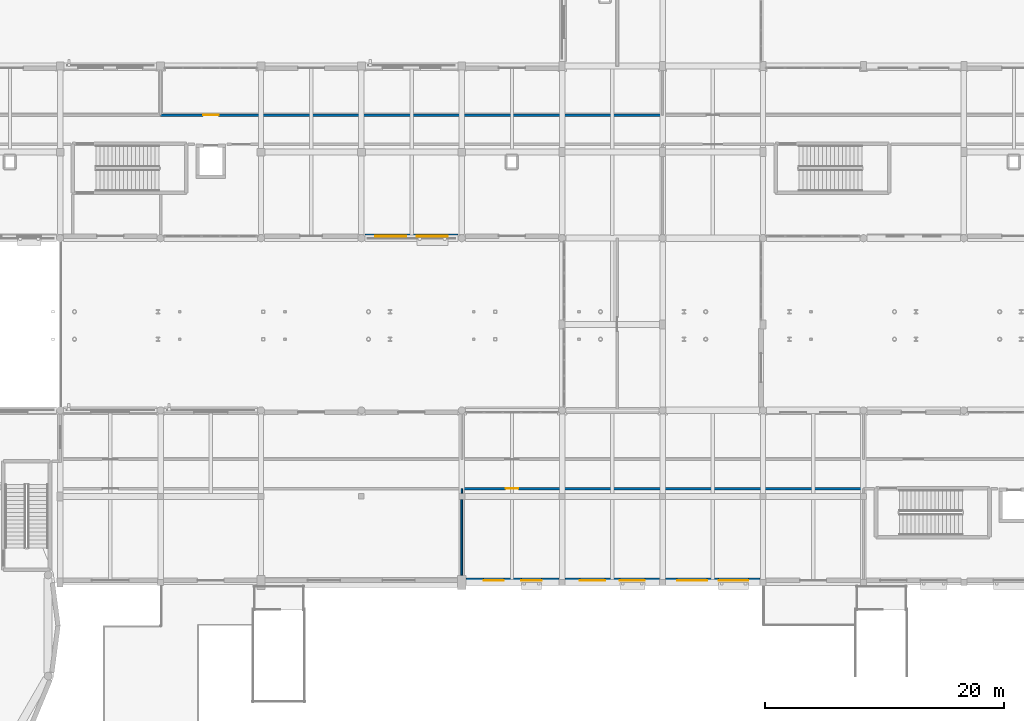
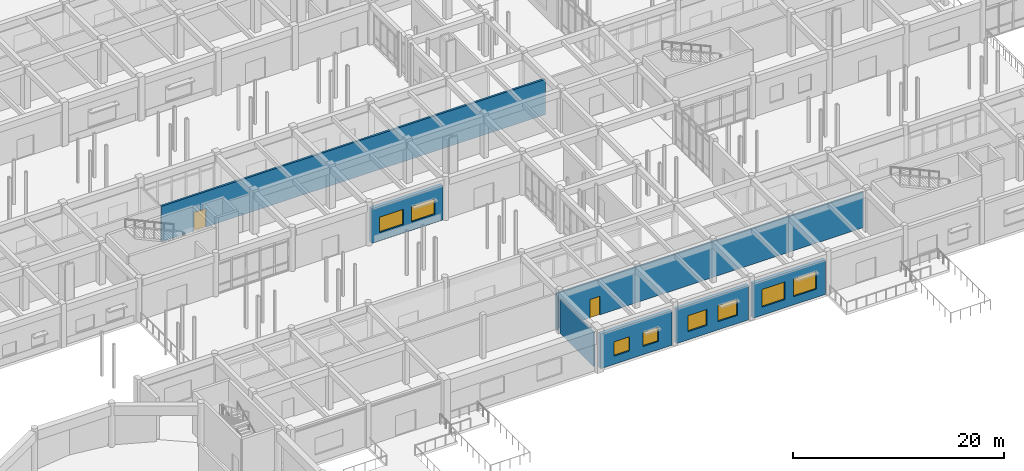
# One storey, part 74 of 121: 8 walls, 8 windows, 2 doors, 10 openings.
"""IFC4 building model written with IfcOpenShell, lengths in metres."""

from ifc_helpers import new_model, si_unit, direction, frame, frame_2d, origin, place, context, subcontext, project, spatial, rectangle, extrude, material, layer, layer_set, type_object, element, fill, save


model = new_model("IFC4")

# Units and contexts
model_context = context("Model", 3, precision=1e-05, world=origin(), true_north=direction((0.0, 1.0)))
body_context = subcontext(model_context, "Body", "Model", "MODEL_VIEW")
ifc_project = project(units=[si_unit("LENGTHUNIT", "METRE"), si_unit("AREAUNIT", "SQUARE_METRE"), si_unit("VOLUMEUNIT", "CUBIC_METRE"), si_unit("PLANEANGLEUNIT", "RADIAN"), si_unit("MASSUNIT", "GRAM", prefix="KILO")], contexts=[model_context])

# Site, building, storey
site_placement = place(None, origin())
site = spatial("IfcSite", under=ifc_project, at=site_placement, CompositionType="ELEMENT")
building_placement = place(site_placement, origin())
building = spatial("IfcBuilding", under=site, at=building_placement, Name="Malvenik Polytechnic", CompositionType="ELEMENT")
storey_placement = place(building_placement, origin())
storey = spatial("IfcBuildingStorey", under=building, at=storey_placement, Name="L00", CompositionType="ELEMENT", Elevation=0.0)

# Wall, openings, windows
ifc_material_1 = material(Name="Concrete C30/37", Category="concrete")
ifc_layer_1 = layer(ifc_material_1, 0.3798828125)
ifc_layer_set_1 = layer_set([ifc_layer_1], Name="Concrete C30/37")
wall_type_1 = type_object("IfcWallType", Name="ARC-EW-380", PredefinedType="SOLIDWALL", material=ifc_layer_set_1)
wall_1_placement = place(storey_placement, frame((66.902099609375, 50.570068359375, 0.0), z_axis=(0.0, 0.0, 1.0), x_axis=(-1.0, 0.0, 0.0)))
wall_1 = element("IfcWall", 1, at=wall_1_placement, inside=storey, type_object=wall_type_1, Name="External Facade Wall EW-01 L00 #37", PredefinedType="SOLIDWALL", context=body_context, shape_type="SweptSolid", body=[
    extrude(rectangle(XDim=7.80419921875, YDim=0.3798828125, at=frame_2d((3.902099609375, 0.0))), origin(), (0.0, 0.0, 1.0), 4.010009765625),
])
opening_1_placement = place(wall_1_placement, frame((0.867919921875, 0.0, 0.949951171875)))
opening_1 = element("IfcOpeningElement", 2, at=opening_1_placement, cuts=wall_1, Name="Opening W-11", PredefinedType="OPENING", context=body_context, shape_type="SweptSolid", body=[
    extrude(rectangle(XDim=2.60009765625, YDim=1.800048828125, at=frame_2d((1.300048828125, 0.89990234375))), frame((0.0, 0.199951171875, 0.0), z_axis=(0.0, -1.0, 0.0), x_axis=(1.0, 0.0, 0.0)), (0.0, 0.0, 1.0), 0.39990234375),
])
opening_2_placement = place(wall_1_placement, frame((4.3359375, 0.0, 0.949951171875)))
opening_2 = element("IfcOpeningElement", 3, at=opening_2_placement, cuts=wall_1, Name="Opening W-11", PredefinedType="OPENING", context=body_context, shape_type="SweptSolid", body=[
    extrude(rectangle(XDim=2.60009765625, YDim=1.800048828125, at=frame_2d((1.300048828125, 0.89990234375))), frame((0.0, 0.199951171875, 0.0), z_axis=(0.0, -1.0, 0.0), x_axis=(1.0, 0.0, 0.0)), (0.0, 0.0, 1.0), 0.39990234375),
])
ifc_material_2 = material(Name="Thermally broken aluminium frame with low-E double glazing", Category="aluminium")
window_type_1 = type_object("IfcWindowType", Name="ARC-WIN-W-11", PartitioningType="SINGLE_PANEL", PredefinedType="WINDOW", material=ifc_material_2)
window_1_placement = place(opening_1_placement, origin())
window_1 = element("IfcWindow", 4, at=window_1_placement, inside=storey, type_object=window_type_1, Name="Punched Window W-11 L00 #5", OverallHeight=1.800048828125, OverallWidth=2.60009765625, PartitioningType="SINGLE_PANEL", PredefinedType="WINDOW", context=body_context, shape_type="SweptSolid", body=[
    extrude(rectangle(XDim=2.60009765625, YDim=1.800048828125, at=frame_2d((1.300048828125, 0.89990234375))), frame((0.0, 0.030029296875, 0.0), z_axis=(0.0, -1.0, 0.0), x_axis=(1.0, 0.0, 0.0)), (0.0, 0.0, 1.0), 0.06005859375),
])
fill(opening_1, window_1)
window_2_placement = place(opening_2_placement, origin())
window_2 = element("IfcWindow", 5, at=window_2_placement, inside=storey, type_object=window_type_1, Name="Punched Window W-11 L00 #6", OverallHeight=1.800048828125, OverallWidth=2.60009765625, PartitioningType="SINGLE_PANEL", PredefinedType="WINDOW", context=body_context, shape_type="SweptSolid", body=[
    extrude(rectangle(XDim=2.60009765625, YDim=1.800048828125, at=frame_2d((1.300048828125, 0.89990234375))), frame((0.0, 0.030029296875, 0.0), z_axis=(0.0, -1.0, 0.0), x_axis=(1.0, 0.0, 0.0)), (0.0, 0.0, 1.0), 0.06005859375),
])
fill(opening_2, window_2)

wall_2_placement = place(storey_placement, frame((92.152099609375, 21.77001953125, 0.0), z_axis=(0.0, 0.0, 1.0), x_axis=(-1.0, 0.0, 0.0)))
wall_2 = element("IfcWall", 6, at=wall_2_placement, inside=storey, type_object=wall_type_1, Name="External Facade Wall EW-01 L00 #148", PredefinedType="SOLIDWALL", context=body_context, shape_type="SweptSolid", body=[
    extrude(rectangle(XDim=7.904052734375, YDim=0.3798828125, at=frame_2d((3.9521484375, 0.0))), origin(), (0.0, 0.0, 1.0), 4.010009765625),
])
opening_3_placement = place(wall_2_placement, frame((0.968017578125, 0.0, 0.949951171875)))
opening_3 = element("IfcOpeningElement", 7, at=opening_3_placement, cuts=wall_2, Name="Opening W-21", PredefinedType="OPENING", context=body_context, shape_type="SweptSolid", body=[
    extrude(rectangle(XDim=2.5, YDim=2.050048828125, at=frame_2d((1.25, 1.02490234375))), frame((0.0, 0.199951171875, 0.0), z_axis=(0.0, -1.0, 0.0), x_axis=(1.0, 0.0, 0.0)), (0.0, 0.0, 1.0), 0.39990234375),
])
opening_4_placement = place(wall_2_placement, frame((4.43603515625, 0.0, 0.949951171875)))
opening_4 = element("IfcOpeningElement", 8, at=opening_4_placement, cuts=wall_2, Name="Opening W-21", PredefinedType="OPENING", context=body_context, shape_type="SweptSolid", body=[
    extrude(rectangle(XDim=2.5, YDim=2.050048828125, at=frame_2d((1.25, 1.02490234375))), frame((0.0, 0.199951171875, 0.0), z_axis=(0.0, -1.0, 0.0), x_axis=(1.0, 0.0, 0.0)), (0.0, 0.0, 1.0), 0.39990234375),
])
window_type_2 = type_object("IfcWindowType", Name="ARC-WIN-W-21", PartitioningType="SINGLE_PANEL", PredefinedType="WINDOW", material=ifc_material_2)
window_3_placement = place(opening_3_placement, origin())
window_3 = element("IfcWindow", 9, at=window_3_placement, inside=storey, type_object=window_type_2, Name="Punched Window W-21 L00 #111", OverallHeight=2.050048828125, OverallWidth=2.5, PartitioningType="SINGLE_PANEL", PredefinedType="WINDOW", context=body_context, shape_type="SweptSolid", body=[
    extrude(rectangle(XDim=2.5, YDim=2.050048828125, at=frame_2d((1.25, 1.02490234375))), frame((0.0, 0.030029296875, 0.0), z_axis=(0.0, -1.0, 0.0), x_axis=(1.0, 0.0, 0.0)), (0.0, 0.0, 1.0), 0.06005859375),
])
fill(opening_3, window_3)
window_4_placement = place(opening_4_placement, origin())
window_4 = element("IfcWindow", 10, at=window_4_placement, inside=storey, type_object=window_type_2, Name="Punched Window W-21 L00 #112", OverallHeight=2.050048828125, OverallWidth=2.5, PartitioningType="SINGLE_PANEL", PredefinedType="WINDOW", context=body_context, shape_type="SweptSolid", body=[
    extrude(rectangle(XDim=2.5, YDim=2.050048828125, at=frame_2d((1.25, 1.02490234375))), frame((0.0, 0.030029296875, 0.0), z_axis=(0.0, -1.0, 0.0), x_axis=(1.0, 0.0, 0.0)), (0.0, 0.0, 1.0), 0.06005859375),
])
fill(opening_4, window_4)

wall_3_placement = place(storey_placement, frame((83.751953125, 21.77001953125, 0.0), z_axis=(0.0, 0.0, 1.0), x_axis=(-1.0, 0.0, 0.0)))
wall_3 = element("IfcWall", 11, at=wall_3_placement, inside=storey, type_object=wall_type_1, Name="External Facade Wall EW-01 L00 #149", PredefinedType="SOLIDWALL", context=body_context, shape_type="SweptSolid", body=[
    extrude(rectangle(XDim=7.904052734375, YDim=0.3798828125, at=frame_2d((3.9521484375, 0.0))), origin(), (0.0, 0.0, 1.0), 4.010009765625),
])
opening_5_placement = place(wall_3_placement, frame((1.234619140625, 0.0, 0.949951171875)))
opening_5 = element("IfcOpeningElement", 12, at=opening_5_placement, cuts=wall_3, Name="Opening W-23", PredefinedType="OPENING", context=body_context, shape_type="SweptSolid", body=[
    extrude(rectangle(XDim=2.10009765625, YDim=1.85009765625, at=frame_2d((1.050048828125, 0.925048828125))), frame((0.0, 0.199951171875, 0.0), z_axis=(0.0, -1.0, 0.0), x_axis=(1.0, 0.0, 0.0)), (0.0, 0.0, 1.0), 0.39990234375),
])
opening_6_placement = place(wall_3_placement, frame((4.5693359375, 0.0, 0.949951171875)))
opening_6 = element("IfcOpeningElement", 13, at=opening_6_placement, cuts=wall_3, Name="Opening W-23", PredefinedType="OPENING", context=body_context, shape_type="SweptSolid", body=[
    extrude(rectangle(XDim=2.10009765625, YDim=1.85009765625, at=frame_2d((1.050048828125, 0.925048828125))), frame((0.0, 0.199951171875, 0.0), z_axis=(0.0, -1.0, 0.0), x_axis=(1.0, 0.0, 0.0)), (0.0, 0.0, 1.0), 0.39990234375),
])
window_type_3 = type_object("IfcWindowType", Name="ARC-WIN-W-23", PartitioningType="SINGLE_PANEL", PredefinedType="WINDOW", material=ifc_material_2)
window_5_placement = place(opening_5_placement, origin())
window_5 = element("IfcWindow", 14, at=window_5_placement, inside=storey, type_object=window_type_3, Name="Punched Window W-23 L00 #113", OverallHeight=1.85009765625, OverallWidth=2.10009765625, PartitioningType="SINGLE_PANEL", PredefinedType="WINDOW", context=body_context, shape_type="SweptSolid", body=[
    extrude(rectangle(XDim=2.10009765625, YDim=1.85009765625, at=frame_2d((1.050048828125, 0.925048828125))), frame((0.0, 0.030029296875, 0.0), z_axis=(0.0, -1.0, 0.0), x_axis=(1.0, 0.0, 0.0)), (0.0, 0.0, 1.0), 0.06005859375),
])
fill(opening_5, window_5)
window_6_placement = place(opening_6_placement, origin())
window_6 = element("IfcWindow", 15, at=window_6_placement, inside=storey, type_object=window_type_3, Name="Punched Window W-23 L00 #114", OverallHeight=1.85009765625, OverallWidth=2.10009765625, PartitioningType="SINGLE_PANEL", PredefinedType="WINDOW", context=body_context, shape_type="SweptSolid", body=[
    extrude(rectangle(XDim=2.10009765625, YDim=1.85009765625, at=frame_2d((1.050048828125, 0.925048828125))), frame((0.0, 0.030029296875, 0.0), z_axis=(0.0, -1.0, 0.0), x_axis=(1.0, 0.0, 0.0)), (0.0, 0.0, 1.0), 0.06005859375),
])
fill(opening_6, window_6)

wall_4_placement = place(storey_placement, frame((75.35205078125, 21.77001953125, 0.0), z_axis=(0.0, 0.0, 1.0), x_axis=(-1.0, 0.0, 0.0)))
wall_4 = element("IfcWall", 16, at=wall_4_placement, inside=storey, type_object=wall_type_1, Name="External Facade Wall EW-01 L00 #150", PredefinedType="SOLIDWALL", context=body_context, shape_type="SweptSolid", body=[
    extrude(rectangle(XDim=7.803955078125, YDim=0.3798828125, at=frame_2d((3.90185546875, 0.0))), origin(), (0.0, 0.0, 1.0), 4.010009765625),
])
opening_7_placement = place(wall_4_placement, frame((1.468017578125, 0.0, 0.949951171875)))
opening_7 = element("IfcOpeningElement", 17, at=opening_7_placement, cuts=wall_4, Name="Opening W-25", PredefinedType="OPENING", context=body_context, shape_type="SweptSolid", body=[
    extrude(rectangle(XDim=1.699951171875, YDim=1.64990234375, at=frame_2d((0.85009765625, 0.824951171875))), frame((0.0, 0.199951171875, 0.0), z_axis=(0.0, -1.0, 0.0), x_axis=(1.0, 0.0, 0.0)), (0.0, 0.0, 1.0), 0.39990234375),
])
opening_8_placement = place(wall_4_placement, frame((4.635986328125, 0.0, 0.949951171875)))
opening_8 = element("IfcOpeningElement", 18, at=opening_8_placement, cuts=wall_4, Name="Opening W-25", PredefinedType="OPENING", context=body_context, shape_type="SweptSolid", body=[
    extrude(rectangle(XDim=1.699951171875, YDim=1.64990234375, at=frame_2d((0.85009765625, 0.824951171875))), frame((0.0, 0.199951171875, 0.0), z_axis=(0.0, -1.0, 0.0), x_axis=(1.0, 0.0, 0.0)), (0.0, 0.0, 1.0), 0.39990234375),
])
window_type_4 = type_object("IfcWindowType", Name="ARC-WIN-W-25", PartitioningType="SINGLE_PANEL", PredefinedType="WINDOW", material=ifc_material_2)
window_7_placement = place(opening_7_placement, origin())
window_7 = element("IfcWindow", 19, at=window_7_placement, inside=storey, type_object=window_type_4, Name="Punched Window W-25 L00 #115", OverallHeight=1.64990234375, OverallWidth=1.699951171875, PartitioningType="SINGLE_PANEL", PredefinedType="WINDOW", context=body_context, shape_type="SweptSolid", body=[
    extrude(rectangle(XDim=1.699951171875, YDim=1.64990234375, at=frame_2d((0.85009765625, 0.824951171875))), frame((0.0, 0.030029296875, 0.0), z_axis=(0.0, -1.0, 0.0), x_axis=(1.0, 0.0, 0.0)), (0.0, 0.0, 1.0), 0.06005859375),
])
fill(opening_7, window_7)
window_8_placement = place(opening_8_placement, origin())
window_8 = element("IfcWindow", 20, at=window_8_placement, inside=storey, type_object=window_type_4, Name="Punched Window W-25 L00 #116", OverallHeight=1.64990234375, OverallWidth=1.699951171875, PartitioningType="SINGLE_PANEL", PredefinedType="WINDOW", context=body_context, shape_type="SweptSolid", body=[
    extrude(rectangle(XDim=1.699951171875, YDim=1.64990234375, at=frame_2d((0.85009765625, 0.824951171875))), frame((0.0, 0.030029296875, 0.0), z_axis=(0.0, -1.0, 0.0), x_axis=(1.0, 0.0, 0.0)), (0.0, 0.0, 1.0), 0.06005859375),
])
fill(opening_8, window_8)

# Wall, opening, door
ifc_material_3 = material(Name="Autoclaved aerated concrete blockwork 220mm", Category="masonry")
ifc_layer_2 = layer(ifc_material_3, 0.219970703125)
ifc_layer_set_2 = layer_set([ifc_layer_2], Name="Autoclaved aerated concrete blockwork 220mm")
wall_type_2 = type_object("IfcWallType", Name="ARC-FW-220", PredefinedType="SOLIDWALL", material=ifc_layer_set_2)
wall_5_placement = place(storey_placement, frame((42.0, 60.699951171875, 0.0), z_axis=(0.0, 0.0, 1.0), x_axis=(1.0, 0.0, 0.0)))
wall_5 = element("IfcWall", 21, at=wall_5_placement, inside=storey, type_object=wall_type_2, Name="Interior Partition FW-01 L00 #91", PredefinedType="SOLIDWALL", context=body_context, shape_type="SweptSolid", body=[
    extrude(rectangle(XDim=42.0, YDim=0.219970703125, at=frame_2d((21.0, 0.0))), origin(), (0.0, 0.0, 1.0), 4.10498046875),
])
opening_9_placement = place(wall_5_placement, frame((3.550048828125, 0.0, 0.0)))
opening_9 = element("IfcOpeningElement", 22, at=opening_9_placement, cuts=wall_5, Name="Opening FD-04", PredefinedType="OPENING", context=body_context, shape_type="SweptSolid", body=[
    extrude(rectangle(XDim=1.300048828125, YDim=2.14990234375, at=frame_2d((0.64990234375, 1.074951171875))), frame((0.0, 0.1201171875, 0.0), z_axis=(0.0, -1.0, 0.0), x_axis=(1.0, 0.0, 0.0)), (0.0, 0.0, 1.0), 0.239990234375),
])
ifc_material_4 = material(Name="Fire-rated plant room steel door", Category="steel")
door_type_1 = type_object("IfcDoorType", Name="ARC-IDR-FD-04", OperationType="NOTDEFINED", PredefinedType="DOOR", material=ifc_material_4)
door_1_placement = place(opening_9_placement, origin())
door_1 = element("IfcDoor", 23, at=door_1_placement, inside=storey, type_object=door_type_1, Name="Interior Door FD-04 L00 #42", OperationType="SINGLE_SWING_RIGHT", OverallHeight=2.14990234375, OverallWidth=1.300048828125, PredefinedType="DOOR", context=body_context, shape_type="SweptSolid", body=[
    extrude(rectangle(XDim=1.300048828125, YDim=2.14990234375, at=frame_2d((0.64990234375, 1.074951171875))), frame((0.0, 0.02490234375, 0.0), z_axis=(0.0, -1.0, 0.0), x_axis=(1.0, 0.0, 0.0)), (0.0, 0.0, 1.0), 0.050048828125),
])
fill(opening_9, door_1)

wall_6_placement = place(storey_placement, frame((100.800048828125, 29.449951171875, 0.0), z_axis=(0.0, 0.0, 1.0), x_axis=(-1.0, 0.0, 0.0)))
wall_6 = element("IfcWall", 24, at=wall_6_placement, inside=storey, type_object=wall_type_2, Name="Interior Partition FW-01 L00 #110", PredefinedType="SOLIDWALL", context=body_context, shape_type="SweptSolid", body=[
    extrude(rectangle(XDim=33.60009765625, YDim=0.219970703125, at=frame_2d((16.800048828125, 0.0))), origin(), (0.0, 0.0, 1.0), 4.10498046875),
])
opening_10_placement = place(wall_6_placement, frame((28.875, 0.0, 0.0)))
opening_10 = element("IfcOpeningElement", 25, at=opening_10_placement, cuts=wall_6, Name="Opening FD-05", PredefinedType="OPENING", context=body_context, shape_type="SweptSolid", body=[
    extrude(rectangle(XDim=1.050048828125, YDim=2.14990234375, at=frame_2d((0.52490234375, 1.074951171875))), frame((0.0, 0.1201171875, 0.0), z_axis=(0.0, -1.0, 0.0), x_axis=(1.0, 0.0, 0.0)), (0.0, 0.0, 1.0), 0.239990234375),
])
ifc_material_5 = material(Name="Fire-rated archive room door", Category="steel")
door_type_2 = type_object("IfcDoorType", Name="ARC-IDR-FD-05", OperationType="NOTDEFINED", PredefinedType="DOOR", material=ifc_material_5)
door_2_placement = place(opening_10_placement, origin())
door_2 = element("IfcDoor", 26, at=door_2_placement, inside=storey, type_object=door_type_2, Name="Interior Door FD-05 L00 #51", OperationType="SINGLE_SWING_LEFT", OverallHeight=2.14990234375, OverallWidth=1.050048828125, PredefinedType="DOOR", context=body_context, shape_type="SweptSolid", body=[
    extrude(rectangle(XDim=1.050048828125, YDim=2.14990234375, at=frame_2d((0.52490234375, 1.074951171875))), frame((0.0, 0.02490234375, 0.0), z_axis=(0.0, -1.0, 0.0), x_axis=(1.0, 0.0, 0.0)), (0.0, 0.0, 1.0), 0.050048828125),
])
fill(opening_10, door_2)

# Walls
ifc_material_6 = material(Name="Metal-stud gypsum board partition 125mm", Category="gypsum")
ifc_layer_3 = layer(ifc_material_6, 0.125)
ifc_layer_set_3 = layer_set([ifc_layer_3], Name="Metal-stud gypsum board partition 125mm")
wall_type_3 = type_object("IfcWallType", Name="ARC-PW-125", PredefinedType="PARTITIONING", material=ifc_layer_set_3)
wall_7_placement = place(storey_placement, frame((67.199951171875, 29.070068359375, 0.0), z_axis=(0.0, 0.0, 1.0), x_axis=(0.0, 1.0, 0.0)))
element("IfcWall", 27, at=wall_7_placement, inside=storey, type_object=wall_type_3, Name="Interior Partition PW-03I L00 #109", PredefinedType="PARTITIONING", context=body_context, shape_type="SweptSolid", body=[
    extrude(rectangle(XDim=0.3798828125, YDim=0.125, at=frame_2d((0.18994140625, 0.0))), origin(), (0.0, 0.0, 1.0), 4.0048828125),
])
ifc_material_7 = material(Name="Acoustic metal-stud gypsum partition 140mm", Category="gypsum")
ifc_layer_4 = layer(ifc_material_7, 0.139892578125)
ifc_layer_set_4 = layer_set([ifc_layer_4], Name="Acoustic metal-stud gypsum partition 140mm")
wall_type_4 = type_object("IfcWallType", Name="ARC-PW-140", PredefinedType="PARTITIONING", material=ifc_layer_set_4)
wall_8_placement = place(storey_placement, frame((67.199951171875, 22.219970703125, 0.0), z_axis=(0.0, 0.0, 1.0), x_axis=(0.0, 1.0, 0.0)))
element("IfcWall", 28, at=wall_8_placement, inside=storey, type_object=wall_type_4, Name="Interior Partition PW-02I L00 #108", PredefinedType="PARTITIONING", context=body_context, shape_type="SweptSolid", body=[
    extrude(rectangle(XDim=6.31005859375, YDim=0.139892578125, at=frame_2d((3.155029296875, 0.0))), origin(), (0.0, 0.0, 1.0), 4.0048828125),
])

save(model, "model.ifc")
